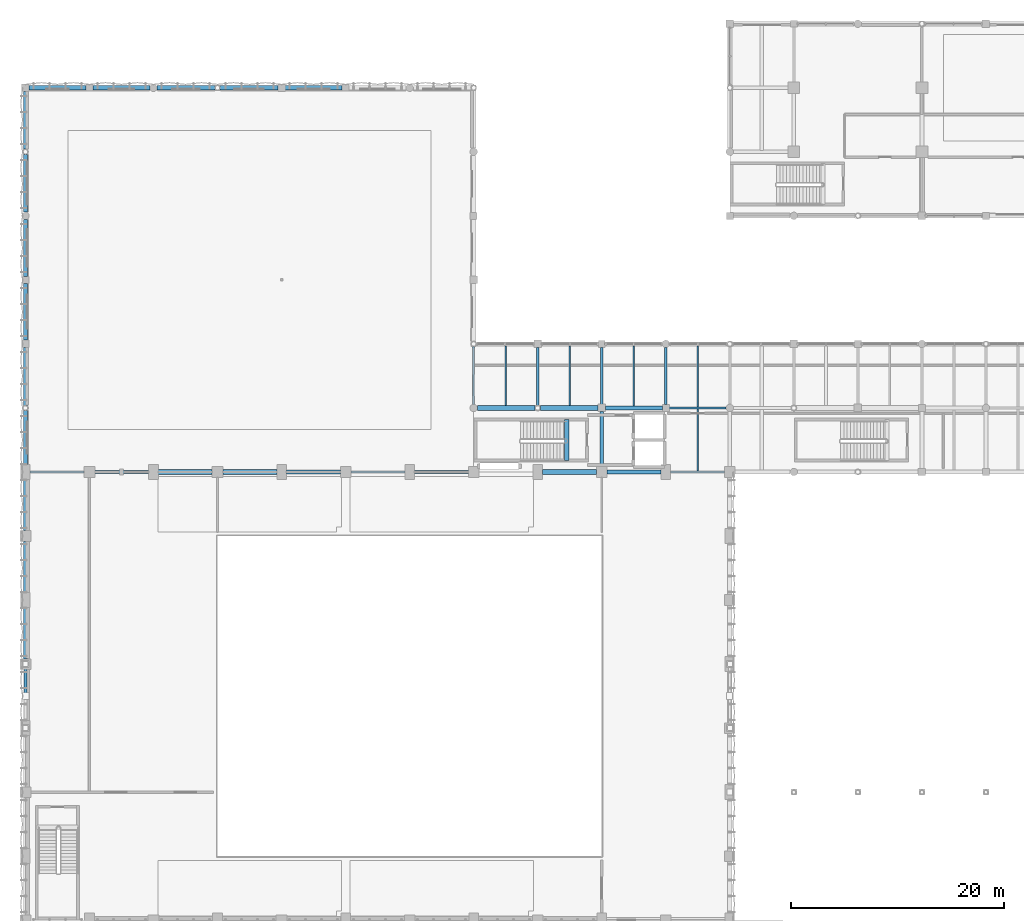
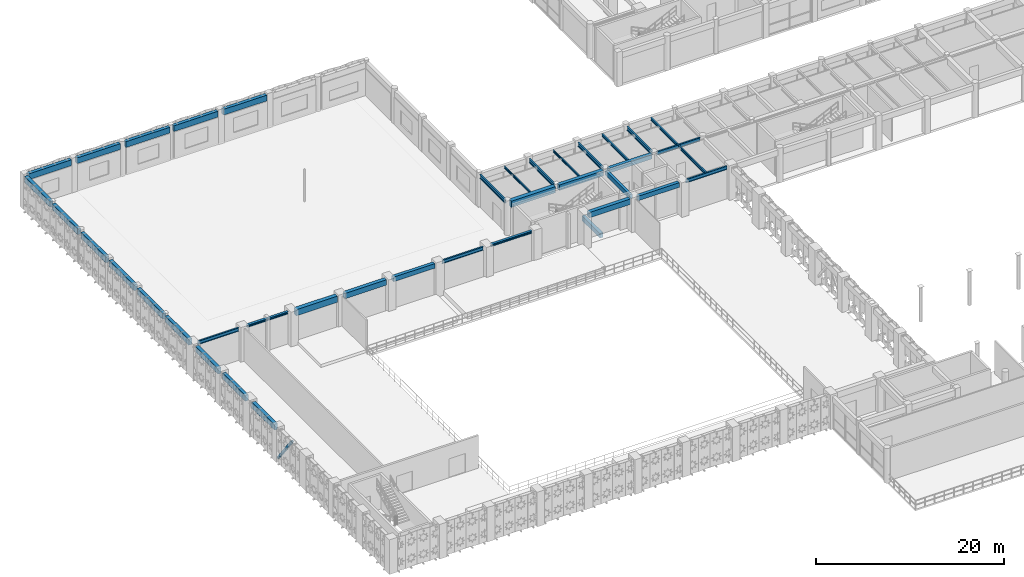
# One storey, part 24 of 116: 39 beams, 1 member.
"""IFC4 building model written with IfcOpenShell, lengths in metres."""

from ifc_helpers import new_model, si_unit, direction, frame, origin, origin_2d, place, context, subcontext, project, spatial, rectangle, hollow_rectangle, i_section, extrude, material, material_profile, profile_set, type_object, element, save


model = new_model("IFC4")

# Units and contexts
model_context = context("Model", 3, precision=1e-05, world=origin(), true_north=direction((0.0, 1.0)))
body_context = subcontext(model_context, "Body", "Model", "MODEL_VIEW")
ifc_project = project(units=[si_unit("LENGTHUNIT", "METRE"), si_unit("AREAUNIT", "SQUARE_METRE"), si_unit("VOLUMEUNIT", "CUBIC_METRE"), si_unit("PLANEANGLEUNIT", "RADIAN"), si_unit("MASSUNIT", "GRAM", prefix="KILO"), si_unit("THERMODYNAMICTEMPERATUREUNIT", "KELVIN"), si_unit("POWERUNIT", "WATT")], contexts=[model_context])

# Site, building, storey
site_placement = place(None, origin())
site = spatial("IfcSite", under=ifc_project, at=site_placement, CompositionType="ELEMENT")
building_placement = place(site_placement, origin())
building = spatial("IfcBuilding", under=site, at=building_placement, Name="Phaisarnlok Congress Hotel", CompositionType="ELEMENT")
storey_placement = place(building_placement, frame((0.0, 0.0, 10.5)))
storey = spatial("IfcBuildingStorey", under=building, at=storey_placement, Name="L02", CompositionType="ELEMENT", Elevation=10.5)

# Beams
ifc_material_1 = material(Name="Concrete C40/50", Category="concrete")
ifc_material_profile_1 = material_profile(ifc_material_1, rectangle(XDim=0.35009765625, YDim=0.550048828125, at=origin_2d()), Name="RC 350x550")
ifc_profile_set_1 = profile_set([ifc_material_profile_1], Name="Concrete C40/50")
beam_type_1 = type_object("IfcBeamType", Name="BM-RC-350x550", PredefinedType="BEAM", material=ifc_profile_set_1)
beam_1_placement = place(storey_placement, frame((54.0, 84.4951171875, 3.965087890625), z_axis=(0.0, 1.0, 0.0), x_axis=(-1.0, 0.0, 0.0)))
element("IfcBeam", 1, at=beam_1_placement, inside=storey, type_object=beam_type_1, Name="Beam B-01", PredefinedType="BEAM", context=body_context, shape_type="SweptSolid", body=[
    extrude(rectangle(XDim=0.35009765625, YDim=0.550048828125, at=origin_2d()), origin(), (0.0, 0.0, 1.0), 5.159912109375),
])
ifc_material_profile_2 = material_profile(ifc_material_1, rectangle(XDim=0.39990234375, YDim=0.60009765625, at=origin_2d()), Name="RC 400x600")
ifc_profile_set_2 = profile_set([ifc_material_profile_2], Name="Concrete C40/50")
beam_type_2 = type_object("IfcBeamType", Name="BM-RC-400x600", PredefinedType="BEAM", material=ifc_profile_set_2)
for number, where, z_axis, x_axis, name in (
    (2, (24.445068359375, 84.0, 3.93994140625), (1.0, 0.0, 0.0), (0.0, 1.0, 0.0), "Beam B-02"),
    (3, (54.4951171875, 84.0, 3.93994140625), (1.0, 0.0, 0.0), (0.0, 1.0, 0.0), "Beam B-02"),
):
    element("IfcBeam", number, at=place(storey_placement, frame(where, z_axis=z_axis, x_axis=x_axis)), inside=storey, type_object=beam_type_2, Name=name, PredefinedType="BEAM", context=body_context, shape_type="SweptSolid", body=[
        extrude(rectangle(XDim=0.39990234375, YDim=0.60009765625, at=origin_2d()), origin(), (0.0, 0.0, 1.0), 5.059814453125),
    ])
beam_2_placement = place(storey_placement, frame((54.344970703125, 90.0, 3.93994140625), z_axis=(1.0, 0.0, 0.0), x_axis=(0.0, 1.0, 0.0)))
element("IfcBeam", 4, at=beam_2_placement, inside=storey, type_object=beam_type_2, Name="Beam B-02", PredefinedType="BEAM", context=body_context, shape_type="SweptSolid", body=[
    extrude(rectangle(XDim=0.39990234375, YDim=0.60009765625, at=origin_2d()), origin(), (0.0, 0.0, 1.0), 5.3349609375),
])
beam_3_placement = place(storey_placement, frame((50.719970703125, 85.080078125, -0.300048828125), z_axis=(0.0, 1.0, 0.0), x_axis=(-1.0, 0.0, 0.0)))
element("IfcBeam", 5, at=beam_3_placement, inside=storey, type_object=beam_type_2, Name="Stair landing header beam B-02 (CORE-5 L02)", PredefinedType="BEAM", context=body_context, shape_type="SweptSolid", body=[
    extrude(rectangle(XDim=0.39990234375, YDim=0.60009765625, at=origin_2d()), origin(), (0.0, 0.0, 1.0), 3.83984375),
])
ifc_material_profile_3 = material_profile(ifc_material_1, rectangle(XDim=0.449951171875, YDim=0.699951171875, at=origin_2d()), Name="RC 450x700")
ifc_profile_set_3 = profile_set([ifc_material_profile_3], Name="Concrete C40/50")
beam_type_3 = type_object("IfcBeamType", Name="BM-RC-450x700", PredefinedType="BEAM", material=ifc_profile_set_3)
for number, where, z_axis, x_axis, name in (
    (6, (18.4951171875, 84.0, 3.889892578125), (1.0, 0.0, 0.0), (0.0, 1.0, 0.0), "Beam B-03"),
    (7, (48.445068359375, 84.0, 3.889892578125), (1.0, 0.0, 0.0), (0.0, 1.0, 0.0), "Beam B-03"),
):
    element("IfcBeam", number, at=place(storey_placement, frame(where, z_axis=z_axis, x_axis=x_axis)), inside=storey, type_object=beam_type_3, Name=name, PredefinedType="BEAM", context=body_context, shape_type="SweptSolid", body=[
        extrude(rectangle(XDim=0.449951171875, YDim=0.699951171875, at=origin_2d()), origin(), (0.0, 0.0, 1.0), 5.059814453125),
    ])
beam_4_placement = place(storey_placement, frame((48.2490234375, 90.0, 3.889892578125), z_axis=(1.0, 0.0, 0.0), x_axis=(0.0, 1.0, 0.0)))
element("IfcBeam", 8, at=beam_4_placement, inside=storey, type_object=beam_type_3, Name="Beam B-03", PredefinedType="BEAM", context=body_context, shape_type="SweptSolid", body=[
    extrude(rectangle(XDim=0.449951171875, YDim=0.699951171875, at=origin_2d()), origin(), (0.0, 0.0, 1.0), 5.406005859375),
])
ifc_material_profile_4 = material_profile(ifc_material_1, rectangle(XDim=0.5, YDim=0.800048828125, at=origin_2d()), Name="RC 500x800")
ifc_profile_set_4 = profile_set([ifc_material_profile_4], Name="Concrete C40/50")
beam_type_4 = type_object("IfcBeamType", Name="BM-RC-500x800", PredefinedType="BEAM", material=ifc_profile_set_4)
beam_5_placement = place(storey_placement, frame((12.445068359375, 84.0, 3.840087890625), z_axis=(1.0, 0.0, 0.0), x_axis=(0.0, 1.0, 0.0)))
element("IfcBeam", 9, at=beam_5_placement, inside=storey, type_object=beam_type_4, Name="Beam B-04", PredefinedType="BEAM", context=body_context, shape_type="SweptSolid", body=[
    extrude(rectangle(XDim=0.5, YDim=0.800048828125, at=origin_2d()), origin(), (0.0, 0.0, 1.0), 5.059814453125),
])
beam_6_placement = place(storey_placement, frame((42.344970703125, 90.0, 3.840087890625), z_axis=(1.0, 0.0, 0.0), x_axis=(0.0, 1.0, 0.0)))
element("IfcBeam", 10, at=beam_6_placement, inside=storey, type_object=beam_type_4, Name="Beam B-04", PredefinedType="BEAM", context=body_context, shape_type="SweptSolid", body=[
    extrude(rectangle(XDim=0.5, YDim=0.800048828125, at=origin_2d()), origin(), (0.0, 0.0, 1.0), 5.406005859375),
])
ifc_material_2 = material(Name="Steel S355", Category="steel")
ifc_material_profile_5 = material_profile(ifc_material_2, i_section(OverallWidth=0.300048828125, OverallDepth=0.2900390625, WebThickness=0.008544921875, FlangeThickness=0.013916015625, FilletRadius=0.027099609375, at=origin_2d()), Name="HEA 300")
ifc_profile_set_5 = profile_set([ifc_material_profile_5], Name="Steel S355")
beam_type_5 = type_object("IfcBeamType", Name="BM-STL-HEA300", PredefinedType="BEAM", material=ifc_profile_set_5)
for number, where, z_axis, x_axis, name in (
    (11, (6.4951171875, 84.0, 4.094970703125), (1.0, 0.0, 0.0), (0.0, 1.0, 0.0), "Beam SB-05"),
    (12, (36.445068359375, 84.0, 4.094970703125), (1.0, 0.0, 0.0), (0.0, 1.0, 0.0), "Beam SB-05"),
):
    element("IfcBeam", number, at=place(storey_placement, frame(where, z_axis=z_axis, x_axis=x_axis)), inside=storey, type_object=beam_type_5, Name=name, PredefinedType="BEAM", context=body_context, shape_type="SweptSolid", body=[
        extrude(i_section(OverallWidth=0.300048828125, OverallDepth=0.2900390625, WebThickness=0.008544921875, FlangeThickness=0.013916015625, FilletRadius=0.027099609375, at=origin_2d()), origin(), (0.0, 0.0, 1.0), 5.059814453125),
    ])
ifc_material_profile_6 = material_profile(ifc_material_2, i_section(OverallWidth=0.18994140625, OverallDepth=0.449951171875, WebThickness=0.009521484375, FlangeThickness=0.0146484375, FilletRadius=0.02099609375, at=origin_2d()), Name="IPE 450")
ifc_profile_set_6 = profile_set([ifc_material_profile_6], Name="Steel S355")
beam_type_6 = type_object("IfcBeamType", Name="BM-STL-IPE450", PredefinedType="BEAM", material=ifc_profile_set_6)
for number, where, z_axis, x_axis, name in (
    (13, (0.445068359375, 84.0, 4.014892578125), (1.0, 0.0, 0.0), (0.0, 1.0, 0.0), "Beam SB-01"),
    (14, (30.4951171875, 84.0, 4.014892578125), (1.0, 0.0, 0.0), (0.0, 1.0, 0.0), "Beam SB-01"),
    (15, (60.445068359375, 84.0, 4.014892578125), (1.0, 0.0, 0.0), (0.0, 1.0, 0.0), "Beam SB-01"),
):
    element("IfcBeam", number, at=place(storey_placement, frame(where, z_axis=z_axis, x_axis=x_axis)), inside=storey, type_object=beam_type_6, Name=name, PredefinedType="BEAM", context=body_context, shape_type="SweptSolid", body=[
        extrude(i_section(OverallWidth=0.18994140625, OverallDepth=0.449951171875, WebThickness=0.009521484375, FlangeThickness=0.0146484375, FilletRadius=0.02099609375, at=origin_2d()), origin(), (0.0, 0.0, 1.0), 5.059814453125),
    ])
beam_7_placement = place(storey_placement, frame((60.320068359375, 90.0, 4.014892578125), z_axis=(1.0, 0.0, 0.0), x_axis=(0.0, 1.0, 0.0)))
element("IfcBeam", 16, at=beam_7_placement, inside=storey, type_object=beam_type_6, Name="Beam SB-01", PredefinedType="BEAM", context=body_context, shape_type="SweptSolid", body=[
    extrude(i_section(OverallWidth=0.18994140625, OverallDepth=0.449951171875, WebThickness=0.009521484375, FlangeThickness=0.0146484375, FilletRadius=0.02099609375, at=origin_2d()), origin(), (0.0, 0.0, 1.0), 5.3349609375),
])
ifc_material_profile_7 = material_profile(ifc_material_2, i_section(OverallWidth=0.199951171875, OverallDepth=0.5, WebThickness=0.01025390625, FlangeThickness=0.01611328125, FilletRadius=0.02099609375, at=origin_2d()), Name="IPE 500")
ifc_profile_set_7 = profile_set([ifc_material_profile_7], Name="Steel S355")
beam_type_7 = type_object("IfcBeamType", Name="BM-STL-IPE500", PredefinedType="BEAM", material=ifc_profile_set_7)
for number, where, z_axis, x_axis, name in (
    (17, (42.0, 90.344970703125, 3.989990234375), (0.0, 1.0, 0.0), (-1.0, 0.0, 0.0), "Beam SB-02"),
    (18, (48.0, 90.2490234375, 3.989990234375), (0.0, 1.0, 0.0), (-1.0, 0.0, 0.0), "Beam SB-02"),
):
    element("IfcBeam", number, at=place(storey_placement, frame(where, z_axis=z_axis, x_axis=x_axis)), inside=storey, type_object=beam_type_7, Name=name, PredefinedType="BEAM", context=body_context, shape_type="SweptSolid", body=[
        extrude(i_section(OverallWidth=0.199951171875, OverallDepth=0.5, WebThickness=0.01025390625, FlangeThickness=0.01611328125, FilletRadius=0.02099609375, at=origin_2d()), origin(), (0.0, 0.0, 1.0), 5.406005859375),
    ])
for number, where, z_axis, x_axis, name in (
    (19, (54.0, 90.344970703125, 3.989990234375), (0.0, 1.0, 0.0), (-1.0, 0.0, 0.0), "Beam SB-02"),
    (20, (60.0, 90.320068359375, 3.989990234375), (0.0, 1.0, 0.0), (-1.0, 0.0, 0.0), "Beam SB-02"),
):
    element("IfcBeam", number, at=place(storey_placement, frame(where, z_axis=z_axis, x_axis=x_axis)), inside=storey, type_object=beam_type_7, Name=name, PredefinedType="BEAM", context=body_context, shape_type="SweptSolid", body=[
        extrude(i_section(OverallWidth=0.199951171875, OverallDepth=0.5, WebThickness=0.01025390625, FlangeThickness=0.01611328125, FilletRadius=0.02099609375, at=origin_2d()), origin(), (0.0, 0.0, 1.0), 5.3349609375),
    ])
ifc_material_profile_8 = material_profile(ifc_material_2, i_section(OverallWidth=0.135009765625, OverallDepth=0.27001953125, WebThickness=0.006591796875, FlangeThickness=0.01025390625, FilletRadius=0.014892578125, at=origin_2d()), Name="IPE 270")
ifc_profile_set_8 = profile_set([ifc_material_profile_8], Name="Steel S355")
beam_type_8 = type_object("IfcBeamType", Name="JS-STL-IPE270", PredefinedType="JOIST", material=ifc_profile_set_8)
beam_8_placement = place(storey_placement, frame((45.0, 90.2451171875, 4.10498046875), z_axis=(0.0, 1.0, 0.0), x_axis=(-1.0, 0.0, 0.0)))
element("IfcBeam", 21, at=beam_8_placement, inside=storey, type_object=beam_type_8, Name="Secondary floor joist J-02", PredefinedType="JOIST", context=body_context, shape_type="SweptSolid", body=[
    extrude(i_section(OverallWidth=0.135009765625, OverallDepth=0.27001953125, WebThickness=0.006591796875, FlangeThickness=0.01025390625, FilletRadius=0.014892578125, at=origin_2d()), origin(), (0.0, 0.0, 1.0), 5.559814453125),
])
beam_9_placement = place(storey_placement, frame((51.0, 90.219970703125, 4.10498046875), z_axis=(0.0, 1.0, 0.0), x_axis=(-1.0, 0.0, 0.0)))
element("IfcBeam", 22, at=beam_9_placement, inside=storey, type_object=beam_type_8, Name="Secondary floor joist J-02", PredefinedType="JOIST", context=body_context, shape_type="SweptSolid", body=[
    extrude(i_section(OverallWidth=0.135009765625, OverallDepth=0.27001953125, WebThickness=0.006591796875, FlangeThickness=0.01025390625, FilletRadius=0.014892578125, at=origin_2d()), origin(), (0.0, 0.0, 1.0), 5.5849609375),
])
ifc_material_profile_9 = material_profile(ifc_material_2, i_section(OverallWidth=0.169921875, OverallDepth=0.360107421875, WebThickness=0.008056640625, FlangeThickness=0.0126953125, FilletRadius=0.01806640625, at=origin_2d()), Name="IPE 360")
ifc_profile_set_9 = profile_set([ifc_material_profile_9], Name="Steel S355")
beam_type_9 = type_object("IfcBeamType", Name="JS-STL-IPE360", PredefinedType="JOIST", material=ifc_profile_set_9)
beam_10_placement = place(storey_placement, frame((57.0, 90.195068359375, 4.06005859375), z_axis=(0.0, 1.0, 0.0), x_axis=(-1.0, 0.0, 0.0)))
element("IfcBeam", 23, at=beam_10_placement, inside=storey, type_object=beam_type_9, Name="Secondary floor joist J-04", PredefinedType="JOIST", context=body_context, shape_type="SweptSolid", body=[
    extrude(i_section(OverallWidth=0.169921875, OverallDepth=0.360107421875, WebThickness=0.008056640625, FlangeThickness=0.0126953125, FilletRadius=0.01806640625, at=origin_2d()), origin(), (0.0, 0.0, 1.0), 5.60986328125),
])
beam_11_placement = place(storey_placement, frame((63.0, 84.090087890625, 4.06005859375), z_axis=(0.0, 1.0, 0.0), x_axis=(-1.0, 0.0, 0.0)))
element("IfcBeam", 24, at=beam_11_placement, inside=storey, type_object=beam_type_9, Name="Secondary floor joist J-04", PredefinedType="JOIST", context=body_context, shape_type="SweptSolid", body=[
    extrude(i_section(OverallWidth=0.169921875, OverallDepth=0.360107421875, WebThickness=0.008056640625, FlangeThickness=0.0126953125, FilletRadius=0.01806640625, at=origin_2d()), origin(), (0.0, 0.0, 1.0), 5.81982421875),
])
beam_12_placement = place(storey_placement, frame((63.0, 90.090087890625, 4.06005859375), z_axis=(0.0, 1.0, 0.0), x_axis=(-1.0, 0.0, 0.0)))
element("IfcBeam", 25, at=beam_12_placement, inside=storey, type_object=beam_type_9, Name="Secondary floor joist J-04", PredefinedType="JOIST", context=body_context, shape_type="SweptSolid", body=[
    extrude(i_section(OverallWidth=0.169921875, OverallDepth=0.360107421875, WebThickness=0.008056640625, FlangeThickness=0.0126953125, FilletRadius=0.01806640625, at=origin_2d()), origin(), (0.0, 0.0, 1.0), 5.71484375),
])

# Member
ifc_material_profile_10 = material_profile(ifc_material_2, hollow_rectangle(XDim=0.260009765625, YDim=0.260009765625, WallThickness=0.01611328125, at=origin_2d()), Name="SHS 260x260x16")
ifc_profile_set_10 = profile_set([ifc_material_profile_10], Name="Steel S355")
member_type = type_object("IfcMemberType", Name="MEM-BRC-SHS260-EXT", PredefinedType="BRACE", material=ifc_profile_set_10)
member_placement = place(storey_placement, frame((0.0, 66.0, 0.14990234375), z_axis=(0.0, -0.602869179166, 0.797840054655), x_axis=(1.0, 0.0, 0.0)))
element("IfcMember", 26, at=member_placement, inside=storey, type_object=member_type, Name="Lateral braced frame diagonal", PredefinedType="BRACE", context=body_context, shape_type="SweptSolid", body=[
    extrude(hollow_rectangle(XDim=0.260009765625, YDim=0.260009765625, WallThickness=0.01611328125, at=origin_2d()), origin(), (0.0, 0.0, 1.0), 4.976318359375),
])

# Beams
ifc_material_profile_11 = material_profile(ifc_material_1, rectangle(XDim=0.39990234375, YDim=0.75, at=origin_2d()), Name="RC 400x750")
ifc_profile_set_11 = profile_set([ifc_material_profile_11], Name="Concrete C40/50")
beam_type_10 = type_object("IfcBeamType", Name="SP-RC-400x750", PredefinedType="SPANDREL", material=ifc_profile_set_11)
for number, where, z_axis, x_axis, name in (
    (27, (0.0, 66.4951171875, 3.864990234375), (0.0, 1.0, 0.0), (-1.0, 0.0, 0.0), "Beam SP-02"),
    (28, (0.0, 72.695068359375, 3.864990234375), (0.0, 1.0, 0.0), (-1.0, 0.0, 0.0), "Beam SP-02"),
    (29, (0.0, 78.4951171875, 3.864990234375), (0.0, 1.0, 0.0), (-1.0, 0.0, 0.0), "Beam SP-02"),
):
    element("IfcBeam", number, at=place(storey_placement, frame(where, z_axis=z_axis, x_axis=x_axis)), inside=storey, type_object=beam_type_10, Name=name, PredefinedType="SPANDREL", context=body_context, shape_type="SweptSolid", body=[
        extrude(rectangle(XDim=0.39990234375, YDim=0.75, at=origin_2d()), origin(), (0.0, 0.0, 1.0), 4.809814453125),
    ])
beam_13_placement = place(storey_placement, frame((0.0, 84.695068359375, 3.864990234375), z_axis=(0.0, 1.0, 0.0), x_axis=(-1.0, 0.0, 0.0)))
element("IfcBeam", 30, at=beam_13_placement, inside=storey, type_object=beam_type_10, Name="Beam SP-02", PredefinedType="SPANDREL", context=body_context, shape_type="SweptSolid", body=[
    extrude(rectangle(XDim=0.39990234375, YDim=0.75, at=origin_2d()), origin(), (0.0, 0.0, 1.0), 5.055908203125),
])
beam_14_placement = place(storey_placement, frame((0.0, 90.2490234375, 3.864990234375), z_axis=(0.0, 1.0, 0.0), x_axis=(-1.0, 0.0, 0.0)))
element("IfcBeam", 31, at=beam_14_placement, inside=storey, type_object=beam_type_10, Name="Beam SP-02", PredefinedType="SPANDREL", context=body_context, shape_type="SweptSolid", body=[
    extrude(rectangle(XDim=0.39990234375, YDim=0.75, at=origin_2d()), origin(), (0.0, 0.0, 1.0), 5.406005859375),
])
for number, where, z_axis, x_axis, name in (
    (32, (0.0, 96.344970703125, 3.864990234375), (0.0, 1.0, 0.0), (-1.0, 0.0, 0.0), "Beam SP-02"),
    (33, (0.0, 102.320068359375, 3.864990234375), (0.0, 1.0, 0.0), (-1.0, 0.0, 0.0), "Beam SP-02"),
):
    element("IfcBeam", number, at=place(storey_placement, frame(where, z_axis=z_axis, x_axis=x_axis)), inside=storey, type_object=beam_type_10, Name=name, PredefinedType="SPANDREL", context=body_context, shape_type="SweptSolid", body=[
        extrude(rectangle(XDim=0.39990234375, YDim=0.75, at=origin_2d()), origin(), (0.0, 0.0, 1.0), 5.3349609375),
    ])
for number, where, z_axis, x_axis, name in (
    (34, (0.0, 108.344970703125, 3.864990234375), (0.0, 1.0, 0.0), (-1.0, 0.0, 0.0), "Beam SP-02"),
    (35, (0.0, 114.2490234375, 3.864990234375), (0.0, 1.0, 0.0), (-1.0, 0.0, 0.0), "Beam SP-02"),
):
    element("IfcBeam", number, at=place(storey_placement, frame(where, z_axis=z_axis, x_axis=x_axis)), inside=storey, type_object=beam_type_10, Name=name, PredefinedType="SPANDREL", context=body_context, shape_type="SweptSolid", body=[
        extrude(rectangle(XDim=0.39990234375, YDim=0.75, at=origin_2d()), origin(), (0.0, 0.0, 1.0), 5.406005859375),
    ])
for number, where, z_axis, x_axis, name in (
    (36, (0.344970703125, 120.0, 3.864990234375), (1.0, 0.0, 0.0), (0.0, 1.0, 0.0), "Beam SP-02"),
    (37, (6.320068359375, 120.0, 3.864990234375), (1.0, 0.0, 0.0), (0.0, 1.0, 0.0), "Beam SP-02"),
):
    element("IfcBeam", number, at=place(storey_placement, frame(where, z_axis=z_axis, x_axis=x_axis)), inside=storey, type_object=beam_type_10, Name=name, PredefinedType="SPANDREL", context=body_context, shape_type="SweptSolid", body=[
        extrude(rectangle(XDim=0.39990234375, YDim=0.75, at=origin_2d()), origin(), (0.0, 0.0, 1.0), 5.3349609375),
    ])
for number, where, z_axis, x_axis, name in (
    (38, (12.344970703125, 120.0, 3.864990234375), (1.0, 0.0, 0.0), (0.0, 1.0, 0.0), "Beam SP-02"),
    (39, (18.2490234375, 120.0, 3.864990234375), (1.0, 0.0, 0.0), (0.0, 1.0, 0.0), "Beam SP-02"),
):
    element("IfcBeam", number, at=place(storey_placement, frame(where, z_axis=z_axis, x_axis=x_axis)), inside=storey, type_object=beam_type_10, Name=name, PredefinedType="SPANDREL", context=body_context, shape_type="SweptSolid", body=[
        extrude(rectangle(XDim=0.39990234375, YDim=0.75, at=origin_2d()), origin(), (0.0, 0.0, 1.0), 5.406005859375),
    ])
beam_15_placement = place(storey_placement, frame((24.344970703125, 120.0, 3.864990234375), z_axis=(1.0, 0.0, 0.0), x_axis=(0.0, 1.0, 0.0)))
element("IfcBeam", 40, at=beam_15_placement, inside=storey, type_object=beam_type_10, Name="Beam SP-02", PredefinedType="SPANDREL", context=body_context, shape_type="SweptSolid", body=[
    extrude(rectangle(XDim=0.39990234375, YDim=0.75, at=origin_2d()), origin(), (0.0, 0.0, 1.0), 5.3349609375),
])

save(model, "model.ifc")
